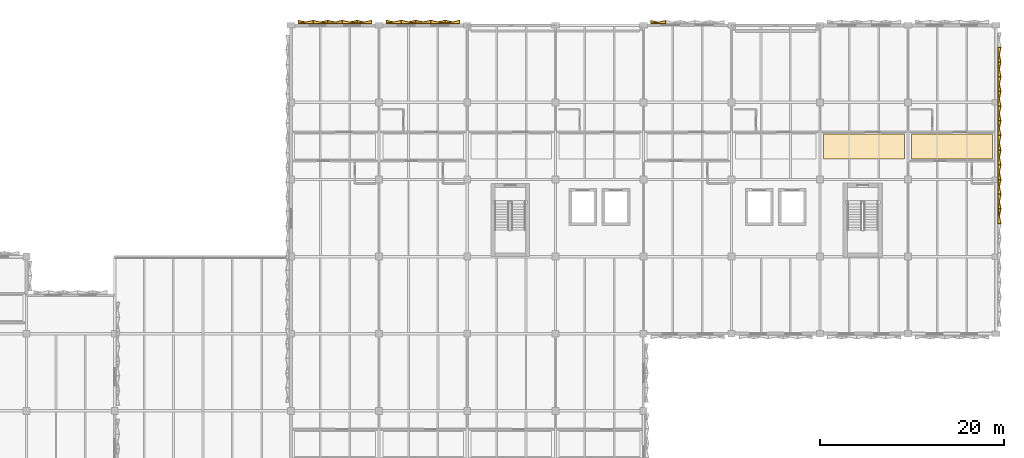
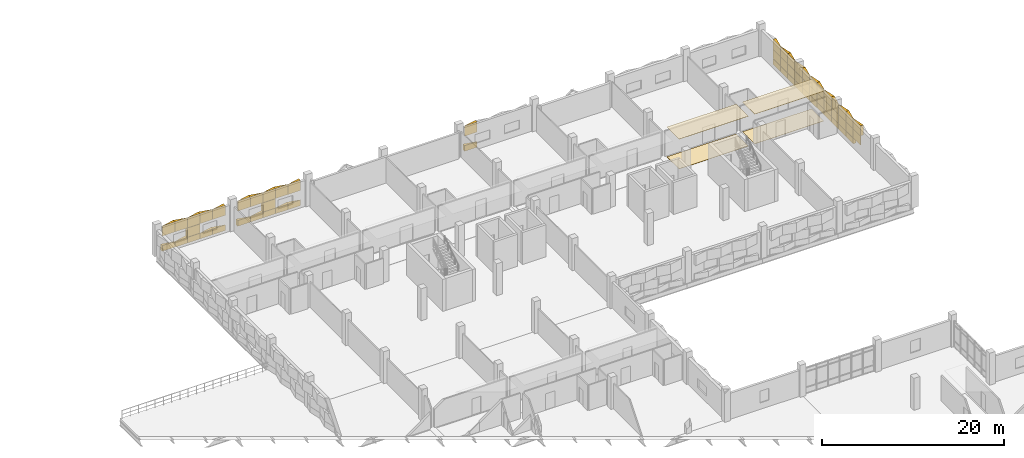
# One storey, part 85 of 86: 63 coverings.
"""IFC4 building model written with IfcOpenShell, lengths in metres."""

from ifc_helpers import new_model, si_unit, direction, frame, origin, place, context, subcontext, project, spatial, polyline, outline, extrude, material, layer, layer_set, type_object, element, save


model = new_model("IFC4")

# Units and contexts
model_context = context("Model", 3, precision=1e-05, world=origin(), true_north=direction((0.0, 1.0)))
body_context = subcontext(model_context, "Body", "Model", "MODEL_VIEW")
ifc_project = project(units=[si_unit("LENGTHUNIT", "METRE"), si_unit("AREAUNIT", "SQUARE_METRE"), si_unit("VOLUMEUNIT", "CUBIC_METRE"), si_unit("PLANEANGLEUNIT", "RADIAN"), si_unit("MASSUNIT", "GRAM", prefix="KILO")], contexts=[model_context])

# Site, building, storey
site_placement = place(None, origin())
site = spatial("IfcSite", under=ifc_project, at=site_placement, CompositionType="ELEMENT")
building_placement = place(site_placement, origin())
building = spatial("IfcBuilding", under=site, at=building_placement, Name="Oolite Switchyard Hospital", CompositionType="ELEMENT")
storey_placement = place(building_placement, frame((0.0, 0.0, 13.5)))
storey = spatial("IfcBuildingStorey", under=building, at=storey_placement, Name="L03", CompositionType="ELEMENT", Elevation=13.5)

# Coverings
ifc_material_1 = material(Name="Hygienic washable mineral-fibre acoustic ceiling")
ifc_layer_1 = layer(ifc_material_1, 0.0400390625)
ifc_layer_set_1 = layer_set([ifc_layer_1], Name="COV-CEIL-AC60")
covering_type_1 = type_object("IfcCoveringType", Name="COV-CEIL-AC60", PredefinedType="CEILING", material=ifc_layer_set_1)
covering_1_placement = place(storey_placement, frame((0.0, 0.0, 3.985107421875)))
element("IfcCovering", 1, at=covering_1_placement, inside=storey, type_object=covering_type_1, Name="L03 East General Surgical Ward Corridor Ceiling 7", PredefinedType="CEILING", context=body_context, shape_type="SweptSolid", body=[
    extrude(outline(polyline([(192.39990234375, 119.85009765625), (201.199951171875, 119.85009765625), (201.199951171875, 122.550048828125), (192.39990234375, 122.550048828125), (192.39990234375, 119.85009765625)])), origin(), (0.0, 0.0, 1.0), 0.039794921875),
])
covering_2_placement = place(storey_placement, frame((0.0, 0.0, 3.985107421875)))
element("IfcCovering", 2, at=covering_2_placement, inside=storey, type_object=covering_type_1, Name="L03 East General Surgical Ward Corridor Ceiling 8", PredefinedType="CEILING", context=body_context, shape_type="SweptSolid", body=[
    extrude(outline(polyline([(202.0, 119.85009765625), (210.800048828125, 119.85009765625), (210.800048828125, 122.550048828125), (202.0, 122.550048828125), (202.0, 119.85009765625)])), origin(), (0.0, 0.0, 1.0), 0.039794921875),
])
ifc_material_2 = material(Name="Precast oolitic limestone architectural concrete C40/50", Category="masonry")
covering_type_2 = type_object("IfcCoveringType", Name="COV-CHEV-COOL", PredefinedType="CLADDING", material=ifc_material_2)
covering_3_placement = place(storey_placement, frame((135.199951171875, 134.56005859375, 0.050048828125), z_axis=(0.0, 0.0, 1.0), x_axis=(1.0, 0.0, 0.0)))
element("IfcCovering", 3, at=covering_3_placement, inside=storey, type_object=covering_type_2, Name="L03 Chevron Precast Oolite Panel 287", PredefinedType="CLADDING", context=body_context, shape_type="SweptSolid", body=[
    extrude(outline(polyline([(0.0, 0.0), (1.60009765625, 0.0), (1.60009765625, 0.044921875), (0.0, 0.385009765625), (0.0, 0.0)])), origin(), (0.0, 0.0, 1.0), 0.760009765625),
])
covering_4_placement = place(storey_placement, frame((135.199951171875, 134.56005859375, 2.090087890625), z_axis=(0.0, 0.0, 1.0), x_axis=(1.0, 0.0, 0.0)))
element("IfcCovering", 4, at=covering_4_placement, inside=storey, type_object=covering_type_2, Name="L03 Chevron Precast Oolite Panel 288", PredefinedType="CLADDING", context=body_context, shape_type="SweptSolid", body=[
    extrude(outline(polyline([(0.0, 0.0), (1.60009765625, 0.0), (1.60009765625, 0.385009765625), (0.0, 0.044921875), (0.0, 0.0)])), origin(), (0.0, 0.0, 1.0), 1.349853515625),
])
covering_5_placement = place(storey_placement, frame((136.800048828125, 134.56005859375, 0.050048828125), z_axis=(0.0, 0.0, 1.0), x_axis=(1.0, 0.0, 0.0)))
element("IfcCovering", 5, at=covering_5_placement, inside=storey, type_object=covering_type_2, Name="L03 Chevron Precast Oolite Panel 289", PredefinedType="CLADDING", context=body_context, shape_type="SweptSolid", body=[
    extrude(outline(polyline([(0.0, 0.0), (1.599853515625, 0.0), (1.599853515625, 0.385009765625), (0.0, 0.044921875), (0.0, 0.0)])), origin(), (0.0, 0.0, 1.0), 0.760009765625),
])
covering_6_placement = place(storey_placement, frame((136.800048828125, 134.56005859375, 2.090087890625), z_axis=(0.0, 0.0, 1.0), x_axis=(1.0, 0.0, 0.0)))
element("IfcCovering", 6, at=covering_6_placement, inside=storey, type_object=covering_type_2, Name="L03 Chevron Precast Oolite Panel 290", PredefinedType="CLADDING", context=body_context, shape_type="SweptSolid", body=[
    extrude(outline(polyline([(0.0, 0.0), (1.599853515625, 0.0), (1.599853515625, 0.044921875), (0.0, 0.385009765625), (0.0, 0.0)])), origin(), (0.0, 0.0, 1.0), 1.349853515625),
])
covering_7_placement = place(storey_placement, frame((138.39990234375, 134.56005859375, 0.050048828125), z_axis=(0.0, 0.0, 1.0), x_axis=(1.0, 0.0, 0.0)))
element("IfcCovering", 7, at=covering_7_placement, inside=storey, type_object=covering_type_2, Name="L03 Chevron Precast Oolite Panel 291", PredefinedType="CLADDING", context=body_context, shape_type="SweptSolid", body=[
    extrude(outline(polyline([(0.0, 0.0), (1.60009765625, 0.0), (1.60009765625, 0.044921875), (0.0, 0.385009765625), (0.0, 0.0)])), origin(), (0.0, 0.0, 1.0), 0.760009765625),
])
covering_8_placement = place(storey_placement, frame((138.39990234375, 134.56005859375, 2.090087890625), z_axis=(0.0, 0.0, 1.0), x_axis=(1.0, 0.0, 0.0)))
element("IfcCovering", 8, at=covering_8_placement, inside=storey, type_object=covering_type_2, Name="L03 Chevron Precast Oolite Panel 292", PredefinedType="CLADDING", context=body_context, shape_type="SweptSolid", body=[
    extrude(outline(polyline([(0.0, 0.0), (1.60009765625, 0.0), (1.60009765625, 0.385009765625), (0.0, 0.044921875), (0.0, 0.0)])), origin(), (0.0, 0.0, 1.0), 1.349853515625),
])
covering_9_placement = place(storey_placement, frame((138.39990234375, 134.56005859375, 0.830078125), z_axis=(0.0, 0.0, 1.0), x_axis=(1.0, 0.0, 0.0)))
element("IfcCovering", 9, at=covering_9_placement, inside=storey, type_object=covering_type_2, Name="L03 Chevron Precast Oolite Panel 293", PredefinedType="CLADDING", context=body_context, shape_type="SweptSolid", body=[
    extrude(outline(polyline([(0.0, 0.0), (1.60009765625, 0.0), (1.60009765625, 0.044921875), (0.0, 0.385009765625), (0.0, 0.0)])), origin(), (0.0, 0.0, 1.0), 1.239990234375),
])
covering_10_placement = place(storey_placement, frame((140.0, 134.56005859375, 0.050048828125), z_axis=(0.0, 0.0, 1.0), x_axis=(1.0, 0.0, 0.0)))
element("IfcCovering", 10, at=covering_10_placement, inside=storey, type_object=covering_type_2, Name="L03 Chevron Precast Oolite Panel 294", PredefinedType="CLADDING", context=body_context, shape_type="SweptSolid", body=[
    extrude(outline(polyline([(0.0, 0.0), (1.60009765625, 0.0), (1.60009765625, 0.385009765625), (0.0, 0.044921875), (0.0, 0.0)])), origin(), (0.0, 0.0, 1.0), 0.760009765625),
])
covering_11_placement = place(storey_placement, frame((140.0, 134.56005859375, 2.090087890625), z_axis=(0.0, 0.0, 1.0), x_axis=(1.0, 0.0, 0.0)))
element("IfcCovering", 11, at=covering_11_placement, inside=storey, type_object=covering_type_2, Name="L03 Chevron Precast Oolite Panel 295", PredefinedType="CLADDING", context=body_context, shape_type="SweptSolid", body=[
    extrude(outline(polyline([(0.0, 0.0), (1.60009765625, 0.0), (1.60009765625, 0.044921875), (0.0, 0.385009765625), (0.0, 0.0)])), origin(), (0.0, 0.0, 1.0), 1.349853515625),
])
covering_12_placement = place(storey_placement, frame((141.60009765625, 134.56005859375, 0.050048828125), z_axis=(0.0, 0.0, 1.0), x_axis=(1.0, 0.0, 0.0)))
element("IfcCovering", 12, at=covering_12_placement, inside=storey, type_object=covering_type_2, Name="L03 Chevron Precast Oolite Panel 296", PredefinedType="CLADDING", context=body_context, shape_type="SweptSolid", body=[
    extrude(outline(polyline([(0.0, 0.0), (1.599853515625, 0.0), (1.599853515625, 0.044921875), (0.0, 0.385009765625), (0.0, 0.0)])), origin(), (0.0, 0.0, 1.0), 0.760009765625),
])
covering_13_placement = place(storey_placement, frame((141.60009765625, 134.56005859375, 2.090087890625), z_axis=(0.0, 0.0, 1.0), x_axis=(1.0, 0.0, 0.0)))
element("IfcCovering", 13, at=covering_13_placement, inside=storey, type_object=covering_type_2, Name="L03 Chevron Precast Oolite Panel 297", PredefinedType="CLADDING", context=body_context, shape_type="SweptSolid", body=[
    extrude(outline(polyline([(0.0, 0.0), (1.599853515625, 0.0), (1.599853515625, 0.385009765625), (0.0, 0.044921875), (0.0, 0.0)])), origin(), (0.0, 0.0, 1.0), 1.349853515625),
])
covering_14_placement = place(storey_placement, frame((144.800048828125, 134.570068359375, 0.050048828125), z_axis=(0.0, 0.0, 1.0), x_axis=(1.0, 0.0, 0.0)))
element("IfcCovering", 14, at=covering_14_placement, inside=storey, type_object=covering_type_2, Name="L03 Chevron Precast Oolite Panel 298", PredefinedType="CLADDING", context=body_context, shape_type="SweptSolid", body=[
    extrude(outline(polyline([(0.0, 0.0), (1.599853515625, 0.0), (1.599853515625, 0.044921875), (0.0, 0.385009765625), (0.0, 0.0)])), origin(), (0.0, 0.0, 1.0), 0.760009765625),
])
covering_15_placement = place(storey_placement, frame((144.800048828125, 134.570068359375, 2.090087890625), z_axis=(0.0, 0.0, 1.0), x_axis=(1.0, 0.0, 0.0)))
element("IfcCovering", 15, at=covering_15_placement, inside=storey, type_object=covering_type_2, Name="L03 Chevron Precast Oolite Panel 299", PredefinedType="CLADDING", context=body_context, shape_type="SweptSolid", body=[
    extrude(outline(polyline([(0.0, 0.0), (1.599853515625, 0.0), (1.599853515625, 0.385009765625), (0.0, 0.044921875), (0.0, 0.0)])), origin(), (0.0, 0.0, 1.0), 1.349853515625),
])
covering_16_placement = place(storey_placement, frame((146.39990234375, 134.570068359375, 0.050048828125), z_axis=(0.0, 0.0, 1.0), x_axis=(1.0, 0.0, 0.0)))
element("IfcCovering", 16, at=covering_16_placement, inside=storey, type_object=covering_type_2, Name="L03 Chevron Precast Oolite Panel 300", PredefinedType="CLADDING", context=body_context, shape_type="SweptSolid", body=[
    extrude(outline(polyline([(0.0, 0.0), (1.60009765625, 0.0), (1.60009765625, 0.385009765625), (0.0, 0.044921875), (0.0, 0.0)])), origin(), (0.0, 0.0, 1.0), 0.760009765625),
])
covering_17_placement = place(storey_placement, frame((146.39990234375, 134.570068359375, 2.090087890625), z_axis=(0.0, 0.0, 1.0), x_axis=(1.0, 0.0, 0.0)))
element("IfcCovering", 17, at=covering_17_placement, inside=storey, type_object=covering_type_2, Name="L03 Chevron Precast Oolite Panel 301", PredefinedType="CLADDING", context=body_context, shape_type="SweptSolid", body=[
    extrude(outline(polyline([(0.0, 0.0), (1.60009765625, 0.0), (1.60009765625, 0.044921875), (0.0, 0.385009765625), (0.0, 0.0)])), origin(), (0.0, 0.0, 1.0), 1.349853515625),
])
covering_18_placement = place(storey_placement, frame((148.0, 134.570068359375, 0.050048828125), z_axis=(0.0, 0.0, 1.0), x_axis=(1.0, 0.0, 0.0)))
element("IfcCovering", 18, at=covering_18_placement, inside=storey, type_object=covering_type_2, Name="L03 Chevron Precast Oolite Panel 302", PredefinedType="CLADDING", context=body_context, shape_type="SweptSolid", body=[
    extrude(outline(polyline([(0.0, 0.0), (1.60009765625, 0.0), (1.60009765625, 0.044921875), (0.0, 0.385009765625), (0.0, 0.0)])), origin(), (0.0, 0.0, 1.0), 0.760009765625),
])
covering_19_placement = place(storey_placement, frame((148.0, 134.570068359375, 2.090087890625), z_axis=(0.0, 0.0, 1.0), x_axis=(1.0, 0.0, 0.0)))
element("IfcCovering", 19, at=covering_19_placement, inside=storey, type_object=covering_type_2, Name="L03 Chevron Precast Oolite Panel 303", PredefinedType="CLADDING", context=body_context, shape_type="SweptSolid", body=[
    extrude(outline(polyline([(0.0, 0.0), (1.60009765625, 0.0), (1.60009765625, 0.385009765625), (0.0, 0.044921875), (0.0, 0.0)])), origin(), (0.0, 0.0, 1.0), 1.349853515625),
])
covering_20_placement = place(storey_placement, frame((148.0, 134.570068359375, 0.830078125), z_axis=(0.0, 0.0, 1.0), x_axis=(1.0, 0.0, 0.0)))
element("IfcCovering", 20, at=covering_20_placement, inside=storey, type_object=covering_type_2, Name="L03 Chevron Precast Oolite Panel 304", PredefinedType="CLADDING", context=body_context, shape_type="SweptSolid", body=[
    extrude(outline(polyline([(0.0, 0.0), (1.60009765625, 0.0), (1.60009765625, 0.044921875), (0.0, 0.385009765625), (0.0, 0.0)])), origin(), (0.0, 0.0, 1.0), 1.239990234375),
])
covering_21_placement = place(storey_placement, frame((149.60009765625, 134.570068359375, 0.050048828125), z_axis=(0.0, 0.0, 1.0), x_axis=(1.0, 0.0, 0.0)))
element("IfcCovering", 21, at=covering_21_placement, inside=storey, type_object=covering_type_2, Name="L03 Chevron Precast Oolite Panel 305", PredefinedType="CLADDING", context=body_context, shape_type="SweptSolid", body=[
    extrude(outline(polyline([(0.0, 0.0), (1.599853515625, 0.0), (1.599853515625, 0.385009765625), (0.0, 0.044921875), (0.0, 0.0)])), origin(), (0.0, 0.0, 1.0), 0.760009765625),
])
covering_22_placement = place(storey_placement, frame((149.60009765625, 134.570068359375, 2.090087890625), z_axis=(0.0, 0.0, 1.0), x_axis=(1.0, 0.0, 0.0)))
element("IfcCovering", 22, at=covering_22_placement, inside=storey, type_object=covering_type_2, Name="L03 Chevron Precast Oolite Panel 306", PredefinedType="CLADDING", context=body_context, shape_type="SweptSolid", body=[
    extrude(outline(polyline([(0.0, 0.0), (1.599853515625, 0.0), (1.599853515625, 0.044921875), (0.0, 0.385009765625), (0.0, 0.0)])), origin(), (0.0, 0.0, 1.0), 1.349853515625),
])
covering_23_placement = place(storey_placement, frame((151.199951171875, 134.570068359375, 0.050048828125), z_axis=(0.0, 0.0, 1.0), x_axis=(1.0, 0.0, 0.0)))
element("IfcCovering", 23, at=covering_23_placement, inside=storey, type_object=covering_type_2, Name="L03 Chevron Precast Oolite Panel 307", PredefinedType="CLADDING", context=body_context, shape_type="SweptSolid", body=[
    extrude(outline(polyline([(0.0, 0.0), (1.60009765625, 0.0), (1.60009765625, 0.044921875), (0.0, 0.385009765625), (0.0, 0.0)])), origin(), (0.0, 0.0, 1.0), 0.760009765625),
])
covering_24_placement = place(storey_placement, frame((151.199951171875, 134.570068359375, 2.090087890625), z_axis=(0.0, 0.0, 1.0), x_axis=(1.0, 0.0, 0.0)))
element("IfcCovering", 24, at=covering_24_placement, inside=storey, type_object=covering_type_2, Name="L03 Chevron Precast Oolite Panel 308", PredefinedType="CLADDING", context=body_context, shape_type="SweptSolid", body=[
    extrude(outline(polyline([(0.0, 0.0), (1.60009765625, 0.0), (1.60009765625, 0.385009765625), (0.0, 0.044921875), (0.0, 0.0)])), origin(), (0.0, 0.0, 1.0), 1.349853515625),
])
covering_25_placement = place(storey_placement, frame((173.60009765625, 134.5400390625, 0.050048828125), z_axis=(0.0, 0.0, 1.0), x_axis=(1.0, 0.0, 0.0)))
element("IfcCovering", 25, at=covering_25_placement, inside=storey, type_object=covering_type_2, Name="L03 Chevron Precast Oolite Panel 309", PredefinedType="CLADDING", context=body_context, shape_type="SweptSolid", body=[
    extrude(outline(polyline([(0.0, 0.0), (1.599853515625, 0.0), (1.599853515625, 0.044921875), (0.0, 0.385009765625), (0.0, 0.0)])), origin(), (0.0, 0.0, 1.0), 0.760009765625),
])
covering_26_placement = place(storey_placement, frame((173.60009765625, 134.5400390625, 2.090087890625), z_axis=(0.0, 0.0, 1.0), x_axis=(1.0, 0.0, 0.0)))
element("IfcCovering", 26, at=covering_26_placement, inside=storey, type_object=covering_type_2, Name="L03 Chevron Precast Oolite Panel 310", PredefinedType="CLADDING", context=body_context, shape_type="SweptSolid", body=[
    extrude(outline(polyline([(0.0, 0.0), (1.599853515625, 0.0), (1.599853515625, 0.385009765625), (0.0, 0.044921875), (0.0, 0.0)])), origin(), (0.0, 0.0, 1.0), 1.349853515625),
])
covering_27_placement = place(storey_placement, frame((211.3701171875, 132.0, 0.050048828125), z_axis=(0.0, 0.0, 1.0), x_axis=(0.0, -1.0, 0.0)))
element("IfcCovering", 27, at=covering_27_placement, inside=storey, type_object=covering_type_2, Name="L03 Chevron Precast Oolite Panel 575", PredefinedType="CLADDING", context=body_context, shape_type="SweptSolid", body=[
    extrude(outline(polyline([(0.0, 0.0), (1.60009765625, 0.0), (1.60009765625, 0.385009765625), (0.0, 0.044921875), (0.0, 0.0)])), origin(), (0.0, 0.0, 1.0), 0.760009765625),
])
covering_28_placement = place(storey_placement, frame((211.3701171875, 132.0, 2.090087890625), z_axis=(0.0, 0.0, 1.0), x_axis=(0.0, -1.0, 0.0)))
element("IfcCovering", 28, at=covering_28_placement, inside=storey, type_object=covering_type_2, Name="L03 Chevron Precast Oolite Panel 576", PredefinedType="CLADDING", context=body_context, shape_type="SweptSolid", body=[
    extrude(outline(polyline([(0.0, 0.0), (1.60009765625, 0.0), (1.60009765625, 0.044921875), (0.0, 0.385009765625), (0.0, 0.0)])), origin(), (0.0, 0.0, 1.0), 1.349853515625),
])
covering_29_placement = place(storey_placement, frame((211.3701171875, 132.0, 0.830078125), z_axis=(0.0, 0.0, 1.0), x_axis=(0.0, -1.0, 0.0)))
element("IfcCovering", 29, at=covering_29_placement, inside=storey, type_object=covering_type_2, Name="L03 Chevron Precast Oolite Panel 577", PredefinedType="CLADDING", context=body_context, shape_type="SweptSolid", body=[
    extrude(outline(polyline([(0.0, 0.0), (1.60009765625, 0.0), (1.60009765625, 0.385009765625), (0.0, 0.044921875), (0.0, 0.0)])), origin(), (0.0, 0.0, 1.0), 1.239990234375),
])
covering_30_placement = place(storey_placement, frame((211.3701171875, 130.39990234375, 0.050048828125), z_axis=(0.0, 0.0, 1.0), x_axis=(0.0, -1.0, 0.0)))
element("IfcCovering", 30, at=covering_30_placement, inside=storey, type_object=covering_type_2, Name="L03 Chevron Precast Oolite Panel 578", PredefinedType="CLADDING", context=body_context, shape_type="SweptSolid", body=[
    extrude(outline(polyline([(0.0, 0.0), (1.599853515625, 0.0), (1.599853515625, 0.044921875), (0.0, 0.385009765625), (0.0, 0.0)])), origin(), (0.0, 0.0, 1.0), 0.760009765625),
])
covering_31_placement = place(storey_placement, frame((211.3701171875, 130.39990234375, 2.090087890625), z_axis=(0.0, 0.0, 1.0), x_axis=(0.0, -1.0, 0.0)))
element("IfcCovering", 31, at=covering_31_placement, inside=storey, type_object=covering_type_2, Name="L03 Chevron Precast Oolite Panel 579", PredefinedType="CLADDING", context=body_context, shape_type="SweptSolid", body=[
    extrude(outline(polyline([(0.0, 0.0), (1.599853515625, 0.0), (1.599853515625, 0.385009765625), (0.0, 0.044921875), (0.0, 0.0)])), origin(), (0.0, 0.0, 1.0), 1.349853515625),
])
covering_32_placement = place(storey_placement, frame((211.3701171875, 130.39990234375, 0.830078125), z_axis=(0.0, 0.0, 1.0), x_axis=(0.0, -1.0, 0.0)))
element("IfcCovering", 32, at=covering_32_placement, inside=storey, type_object=covering_type_2, Name="L03 Chevron Precast Oolite Panel 580", PredefinedType="CLADDING", context=body_context, shape_type="SweptSolid", body=[
    extrude(outline(polyline([(0.0, 0.0), (1.599853515625, 0.0), (1.599853515625, 0.044921875), (0.0, 0.385009765625), (0.0, 0.0)])), origin(), (0.0, 0.0, 1.0), 1.239990234375),
])
covering_33_placement = place(storey_placement, frame((211.3701171875, 128.800048828125, 0.050048828125), z_axis=(0.0, 0.0, 1.0), x_axis=(0.0, -1.0, 0.0)))
element("IfcCovering", 33, at=covering_33_placement, inside=storey, type_object=covering_type_2, Name="L03 Chevron Precast Oolite Panel 581", PredefinedType="CLADDING", context=body_context, shape_type="SweptSolid", body=[
    extrude(outline(polyline([(0.0, 0.0), (1.60009765625, 0.0), (1.60009765625, 0.385009765625), (0.0, 0.044921875), (0.0, 0.0)])), origin(), (0.0, 0.0, 1.0), 0.760009765625),
])
covering_34_placement = place(storey_placement, frame((211.3701171875, 128.800048828125, 2.090087890625), z_axis=(0.0, 0.0, 1.0), x_axis=(0.0, -1.0, 0.0)))
element("IfcCovering", 34, at=covering_34_placement, inside=storey, type_object=covering_type_2, Name="L03 Chevron Precast Oolite Panel 582", PredefinedType="CLADDING", context=body_context, shape_type="SweptSolid", body=[
    extrude(outline(polyline([(0.0, 0.0), (1.60009765625, 0.0), (1.60009765625, 0.044921875), (0.0, 0.385009765625), (0.0, 0.0)])), origin(), (0.0, 0.0, 1.0), 1.349853515625),
])
covering_35_placement = place(storey_placement, frame((211.3701171875, 128.800048828125, 0.830078125), z_axis=(0.0, 0.0, 1.0), x_axis=(0.0, -1.0, 0.0)))
element("IfcCovering", 35, at=covering_35_placement, inside=storey, type_object=covering_type_2, Name="L03 Chevron Precast Oolite Panel 583", PredefinedType="CLADDING", context=body_context, shape_type="SweptSolid", body=[
    extrude(outline(polyline([(0.0, 0.0), (1.60009765625, 0.0), (1.60009765625, 0.385009765625), (0.0, 0.044921875), (0.0, 0.0)])), origin(), (0.0, 0.0, 1.0), 1.239990234375),
])
covering_36_placement = place(storey_placement, frame((211.3701171875, 127.199951171875, 0.050048828125), z_axis=(0.0, 0.0, 1.0), x_axis=(0.0, -1.0, 0.0)))
element("IfcCovering", 36, at=covering_36_placement, inside=storey, type_object=covering_type_2, Name="L03 Chevron Precast Oolite Panel 584", PredefinedType="CLADDING", context=body_context, shape_type="SweptSolid", body=[
    extrude(outline(polyline([(0.0, 0.0), (1.599853515625, 0.0), (1.599853515625, 0.044921875), (0.0, 0.385009765625), (0.0, 0.0)])), origin(), (0.0, 0.0, 1.0), 0.760009765625),
])
covering_37_placement = place(storey_placement, frame((211.3701171875, 127.199951171875, 2.090087890625), z_axis=(0.0, 0.0, 1.0), x_axis=(0.0, -1.0, 0.0)))
element("IfcCovering", 37, at=covering_37_placement, inside=storey, type_object=covering_type_2, Name="L03 Chevron Precast Oolite Panel 585", PredefinedType="CLADDING", context=body_context, shape_type="SweptSolid", body=[
    extrude(outline(polyline([(0.0, 0.0), (1.599853515625, 0.0), (1.599853515625, 0.385009765625), (0.0, 0.044921875), (0.0, 0.0)])), origin(), (0.0, 0.0, 1.0), 1.349853515625),
])
covering_38_placement = place(storey_placement, frame((211.3701171875, 127.199951171875, 0.830078125), z_axis=(0.0, 0.0, 1.0), x_axis=(0.0, -1.0, 0.0)))
element("IfcCovering", 38, at=covering_38_placement, inside=storey, type_object=covering_type_2, Name="L03 Chevron Precast Oolite Panel 586", PredefinedType="CLADDING", context=body_context, shape_type="SweptSolid", body=[
    extrude(outline(polyline([(0.0, 0.0), (1.599853515625, 0.0), (1.599853515625, 0.044921875), (0.0, 0.385009765625), (0.0, 0.0)])), origin(), (0.0, 0.0, 1.0), 1.239990234375),
])
covering_39_placement = place(storey_placement, frame((211.3701171875, 125.60009765625, 0.050048828125), z_axis=(0.0, 0.0, 1.0), x_axis=(0.0, -1.0, 0.0)))
element("IfcCovering", 39, at=covering_39_placement, inside=storey, type_object=covering_type_2, Name="L03 Chevron Precast Oolite Panel 587", PredefinedType="CLADDING", context=body_context, shape_type="SweptSolid", body=[
    extrude(outline(polyline([(0.0, 0.0), (1.60009765625, 0.0), (1.60009765625, 0.385009765625), (0.0, 0.044921875), (0.0, 0.0)])), origin(), (0.0, 0.0, 1.0), 0.760009765625),
])
covering_40_placement = place(storey_placement, frame((211.3701171875, 125.60009765625, 2.090087890625), z_axis=(0.0, 0.0, 1.0), x_axis=(0.0, -1.0, 0.0)))
element("IfcCovering", 40, at=covering_40_placement, inside=storey, type_object=covering_type_2, Name="L03 Chevron Precast Oolite Panel 588", PredefinedType="CLADDING", context=body_context, shape_type="SweptSolid", body=[
    extrude(outline(polyline([(0.0, 0.0), (1.60009765625, 0.0), (1.60009765625, 0.044921875), (0.0, 0.385009765625), (0.0, 0.0)])), origin(), (0.0, 0.0, 1.0), 1.349853515625),
])
covering_41_placement = place(storey_placement, frame((211.3701171875, 125.60009765625, 0.830078125), z_axis=(0.0, 0.0, 1.0), x_axis=(0.0, -1.0, 0.0)))
element("IfcCovering", 41, at=covering_41_placement, inside=storey, type_object=covering_type_2, Name="L03 Chevron Precast Oolite Panel 589", PredefinedType="CLADDING", context=body_context, shape_type="SweptSolid", body=[
    extrude(outline(polyline([(0.0, 0.0), (1.60009765625, 0.0), (1.60009765625, 0.385009765625), (0.0, 0.044921875), (0.0, 0.0)])), origin(), (0.0, 0.0, 1.0), 1.239990234375),
])
covering_42_placement = place(storey_placement, frame((211.3701171875, 124.0, 0.050048828125), z_axis=(0.0, 0.0, 1.0), x_axis=(0.0, -1.0, 0.0)))
element("IfcCovering", 42, at=covering_42_placement, inside=storey, type_object=covering_type_2, Name="L03 Chevron Precast Oolite Panel 590", PredefinedType="CLADDING", context=body_context, shape_type="SweptSolid", body=[
    extrude(outline(polyline([(0.0, 0.0), (1.60009765625, 0.0), (1.60009765625, 0.044921875), (0.0, 0.385009765625), (0.0, 0.0)])), origin(), (0.0, 0.0, 1.0), 0.760009765625),
])
covering_43_placement = place(storey_placement, frame((211.3701171875, 124.0, 2.090087890625), z_axis=(0.0, 0.0, 1.0), x_axis=(0.0, -1.0, 0.0)))
element("IfcCovering", 43, at=covering_43_placement, inside=storey, type_object=covering_type_2, Name="L03 Chevron Precast Oolite Panel 591", PredefinedType="CLADDING", context=body_context, shape_type="SweptSolid", body=[
    extrude(outline(polyline([(0.0, 0.0), (1.60009765625, 0.0), (1.60009765625, 0.385009765625), (0.0, 0.044921875), (0.0, 0.0)])), origin(), (0.0, 0.0, 1.0), 1.349853515625),
])
covering_44_placement = place(storey_placement, frame((211.3701171875, 124.0, 0.830078125), z_axis=(0.0, 0.0, 1.0), x_axis=(0.0, -1.0, 0.0)))
element("IfcCovering", 44, at=covering_44_placement, inside=storey, type_object=covering_type_2, Name="L03 Chevron Precast Oolite Panel 592", PredefinedType="CLADDING", context=body_context, shape_type="SweptSolid", body=[
    extrude(outline(polyline([(0.0, 0.0), (1.60009765625, 0.0), (1.60009765625, 0.044921875), (0.0, 0.385009765625), (0.0, 0.0)])), origin(), (0.0, 0.0, 1.0), 1.239990234375),
])
covering_45_placement = place(storey_placement, frame((211.3701171875, 122.39990234375, 0.050048828125), z_axis=(0.0, 0.0, 1.0), x_axis=(0.0, -1.0, 0.0)))
element("IfcCovering", 45, at=covering_45_placement, inside=storey, type_object=covering_type_2, Name="L03 Chevron Precast Oolite Panel 593", PredefinedType="CLADDING", context=body_context, shape_type="SweptSolid", body=[
    extrude(outline(polyline([(0.0, 0.0), (1.599853515625, 0.0), (1.599853515625, 0.385009765625), (0.0, 0.044921875), (0.0, 0.0)])), origin(), (0.0, 0.0, 1.0), 0.760009765625),
])
covering_46_placement = place(storey_placement, frame((211.3701171875, 122.39990234375, 2.090087890625), z_axis=(0.0, 0.0, 1.0), x_axis=(0.0, -1.0, 0.0)))
element("IfcCovering", 46, at=covering_46_placement, inside=storey, type_object=covering_type_2, Name="L03 Chevron Precast Oolite Panel 594", PredefinedType="CLADDING", context=body_context, shape_type="SweptSolid", body=[
    extrude(outline(polyline([(0.0, 0.0), (1.599853515625, 0.0), (1.599853515625, 0.044921875), (0.0, 0.385009765625), (0.0, 0.0)])), origin(), (0.0, 0.0, 1.0), 1.349853515625),
])
covering_47_placement = place(storey_placement, frame((211.3701171875, 122.39990234375, 0.830078125), z_axis=(0.0, 0.0, 1.0), x_axis=(0.0, -1.0, 0.0)))
element("IfcCovering", 47, at=covering_47_placement, inside=storey, type_object=covering_type_2, Name="L03 Chevron Precast Oolite Panel 595", PredefinedType="CLADDING", context=body_context, shape_type="SweptSolid", body=[
    extrude(outline(polyline([(0.0, 0.0), (1.599853515625, 0.0), (1.599853515625, 0.385009765625), (0.0, 0.044921875), (0.0, 0.0)])), origin(), (0.0, 0.0, 1.0), 1.239990234375),
])
covering_48_placement = place(storey_placement, frame((211.3701171875, 120.800048828125, 0.050048828125), z_axis=(0.0, 0.0, 1.0), x_axis=(0.0, -1.0, 0.0)))
element("IfcCovering", 48, at=covering_48_placement, inside=storey, type_object=covering_type_2, Name="L03 Chevron Precast Oolite Panel 596", PredefinedType="CLADDING", context=body_context, shape_type="SweptSolid", body=[
    extrude(outline(polyline([(0.0, 0.0), (1.60009765625, 0.0), (1.60009765625, 0.044921875), (0.0, 0.385009765625), (0.0, 0.0)])), origin(), (0.0, 0.0, 1.0), 0.760009765625),
])
covering_49_placement = place(storey_placement, frame((211.3701171875, 120.800048828125, 2.090087890625), z_axis=(0.0, 0.0, 1.0), x_axis=(0.0, -1.0, 0.0)))
element("IfcCovering", 49, at=covering_49_placement, inside=storey, type_object=covering_type_2, Name="L03 Chevron Precast Oolite Panel 597", PredefinedType="CLADDING", context=body_context, shape_type="SweptSolid", body=[
    extrude(outline(polyline([(0.0, 0.0), (1.60009765625, 0.0), (1.60009765625, 0.385009765625), (0.0, 0.044921875), (0.0, 0.0)])), origin(), (0.0, 0.0, 1.0), 1.349853515625),
])
covering_50_placement = place(storey_placement, frame((211.3701171875, 120.800048828125, 0.830078125), z_axis=(0.0, 0.0, 1.0), x_axis=(0.0, -1.0, 0.0)))
element("IfcCovering", 50, at=covering_50_placement, inside=storey, type_object=covering_type_2, Name="L03 Chevron Precast Oolite Panel 598", PredefinedType="CLADDING", context=body_context, shape_type="SweptSolid", body=[
    extrude(outline(polyline([(0.0, 0.0), (1.60009765625, 0.0), (1.60009765625, 0.044921875), (0.0, 0.385009765625), (0.0, 0.0)])), origin(), (0.0, 0.0, 1.0), 1.239990234375),
])
covering_51_placement = place(storey_placement, frame((211.3701171875, 119.199951171875, 0.050048828125), z_axis=(0.0, 0.0, 1.0), x_axis=(0.0, -1.0, 0.0)))
element("IfcCovering", 51, at=covering_51_placement, inside=storey, type_object=covering_type_2, Name="L03 Chevron Precast Oolite Panel 599", PredefinedType="CLADDING", context=body_context, shape_type="SweptSolid", body=[
    extrude(outline(polyline([(0.0, 0.0), (1.599853515625, 0.0), (1.599853515625, 0.385009765625), (0.0, 0.044921875), (0.0, 0.0)])), origin(), (0.0, 0.0, 1.0), 0.760009765625),
])
covering_52_placement = place(storey_placement, frame((211.3701171875, 119.199951171875, 2.090087890625), z_axis=(0.0, 0.0, 1.0), x_axis=(0.0, -1.0, 0.0)))
element("IfcCovering", 52, at=covering_52_placement, inside=storey, type_object=covering_type_2, Name="L03 Chevron Precast Oolite Panel 600", PredefinedType="CLADDING", context=body_context, shape_type="SweptSolid", body=[
    extrude(outline(polyline([(0.0, 0.0), (1.599853515625, 0.0), (1.599853515625, 0.044921875), (0.0, 0.385009765625), (0.0, 0.0)])), origin(), (0.0, 0.0, 1.0), 1.349853515625),
])
covering_53_placement = place(storey_placement, frame((211.3701171875, 119.199951171875, 0.830078125), z_axis=(0.0, 0.0, 1.0), x_axis=(0.0, -1.0, 0.0)))
element("IfcCovering", 53, at=covering_53_placement, inside=storey, type_object=covering_type_2, Name="L03 Chevron Precast Oolite Panel 601", PredefinedType="CLADDING", context=body_context, shape_type="SweptSolid", body=[
    extrude(outline(polyline([(0.0, 0.0), (1.599853515625, 0.0), (1.599853515625, 0.385009765625), (0.0, 0.044921875), (0.0, 0.0)])), origin(), (0.0, 0.0, 1.0), 1.239990234375),
])
covering_54_placement = place(storey_placement, frame((211.3701171875, 117.60009765625, 0.050048828125), z_axis=(0.0, 0.0, 1.0), x_axis=(0.0, -1.0, 0.0)))
element("IfcCovering", 54, at=covering_54_placement, inside=storey, type_object=covering_type_2, Name="L03 Chevron Precast Oolite Panel 602", PredefinedType="CLADDING", context=body_context, shape_type="SweptSolid", body=[
    extrude(outline(polyline([(0.0, 0.0), (1.60009765625, 0.0), (1.60009765625, 0.044921875), (0.0, 0.385009765625), (0.0, 0.0)])), origin(), (0.0, 0.0, 1.0), 0.760009765625),
])
covering_55_placement = place(storey_placement, frame((211.3701171875, 117.60009765625, 2.090087890625), z_axis=(0.0, 0.0, 1.0), x_axis=(0.0, -1.0, 0.0)))
element("IfcCovering", 55, at=covering_55_placement, inside=storey, type_object=covering_type_2, Name="L03 Chevron Precast Oolite Panel 603", PredefinedType="CLADDING", context=body_context, shape_type="SweptSolid", body=[
    extrude(outline(polyline([(0.0, 0.0), (1.60009765625, 0.0), (1.60009765625, 0.385009765625), (0.0, 0.044921875), (0.0, 0.0)])), origin(), (0.0, 0.0, 1.0), 1.349853515625),
])
covering_56_placement = place(storey_placement, frame((211.3701171875, 117.60009765625, 0.830078125), z_axis=(0.0, 0.0, 1.0), x_axis=(0.0, -1.0, 0.0)))
element("IfcCovering", 56, at=covering_56_placement, inside=storey, type_object=covering_type_2, Name="L03 Chevron Precast Oolite Panel 604", PredefinedType="CLADDING", context=body_context, shape_type="SweptSolid", body=[
    extrude(outline(polyline([(0.0, 0.0), (1.60009765625, 0.0), (1.60009765625, 0.044921875), (0.0, 0.385009765625), (0.0, 0.0)])), origin(), (0.0, 0.0, 1.0), 1.239990234375),
])
covering_57_placement = place(storey_placement, frame((211.3701171875, 116.0, 0.050048828125), z_axis=(0.0, 0.0, 1.0), x_axis=(0.0, -1.0, 0.0)))
element("IfcCovering", 57, at=covering_57_placement, inside=storey, type_object=covering_type_2, Name="L03 Chevron Precast Oolite Panel 605", PredefinedType="CLADDING", context=body_context, shape_type="SweptSolid", body=[
    extrude(outline(polyline([(0.0, 0.0), (1.60009765625, 0.0), (1.60009765625, 0.385009765625), (0.0, 0.044921875), (0.0, 0.0)])), origin(), (0.0, 0.0, 1.0), 0.760009765625),
])
covering_58_placement = place(storey_placement, frame((211.3701171875, 116.0, 2.090087890625), z_axis=(0.0, 0.0, 1.0), x_axis=(0.0, -1.0, 0.0)))
element("IfcCovering", 58, at=covering_58_placement, inside=storey, type_object=covering_type_2, Name="L03 Chevron Precast Oolite Panel 606", PredefinedType="CLADDING", context=body_context, shape_type="SweptSolid", body=[
    extrude(outline(polyline([(0.0, 0.0), (1.60009765625, 0.0), (1.60009765625, 0.044921875), (0.0, 0.385009765625), (0.0, 0.0)])), origin(), (0.0, 0.0, 1.0), 1.349853515625),
])
covering_59_placement = place(storey_placement, frame((211.3701171875, 116.0, 0.830078125), z_axis=(0.0, 0.0, 1.0), x_axis=(0.0, -1.0, 0.0)))
element("IfcCovering", 59, at=covering_59_placement, inside=storey, type_object=covering_type_2, Name="L03 Chevron Precast Oolite Panel 607", PredefinedType="CLADDING", context=body_context, shape_type="SweptSolid", body=[
    extrude(outline(polyline([(0.0, 0.0), (1.60009765625, 0.0), (1.60009765625, 0.385009765625), (0.0, 0.044921875), (0.0, 0.0)])), origin(), (0.0, 0.0, 1.0), 1.239990234375),
])
covering_60_placement = place(storey_placement, frame((211.3701171875, 114.39990234375, 2.090087890625), z_axis=(0.0, 0.0, 1.0), x_axis=(0.0, -1.0, 0.0)))
element("IfcCovering", 60, at=covering_60_placement, inside=storey, type_object=covering_type_2, Name="L03 Chevron Precast Oolite Panel 609", PredefinedType="CLADDING", context=body_context, shape_type="SweptSolid", body=[
    extrude(outline(polyline([(0.0, 0.0), (1.599853515625, 0.0), (1.599853515625, 0.385009765625), (0.0, 0.044921875), (0.0, 0.0)])), origin(), (0.0, 0.0, 1.0), 1.349853515625),
])
covering_61_placement = place(storey_placement, frame((211.3701171875, 114.39990234375, 0.830078125), z_axis=(0.0, 0.0, 1.0), x_axis=(0.0, -1.0, 0.0)))
element("IfcCovering", 61, at=covering_61_placement, inside=storey, type_object=covering_type_2, Name="L03 Chevron Precast Oolite Panel 610", PredefinedType="CLADDING", context=body_context, shape_type="SweptSolid", body=[
    extrude(outline(polyline([(0.0, 0.0), (1.599853515625, 0.0), (1.599853515625, 0.044921875), (0.0, 0.385009765625), (0.0, 0.0)])), origin(), (0.0, 0.0, 1.0), 1.239990234375),
])
ifc_material_3 = material(Name="Epoxy terrazzo seamless clinical flooring")
ifc_layer_2 = layer(ifc_material_3, 0.02001953125)
ifc_layer_set_2 = layer_set([ifc_layer_2], Name="COV-FLR-TER20")
covering_type_3 = type_object("IfcCoveringType", Name="COV-FLR-TER20", PredefinedType="FLOORING", material=ifc_layer_set_2)
covering_62_placement = place(storey_placement, origin())
element("IfcCovering", 62, at=covering_62_placement, inside=storey, type_object=covering_type_3, Name="L03 East General Surgical Ward Corridor Flooring 7", PredefinedType="FLOORING", context=body_context, shape_type="SweptSolid", body=[
    extrude(outline(polyline([(192.39990234375, 119.85009765625), (201.199951171875, 119.85009765625), (201.199951171875, 122.550048828125), (192.39990234375, 122.550048828125), (192.39990234375, 119.85009765625)])), origin(), (0.0, 0.0, 1.0), 0.02001953125),
])
covering_63_placement = place(storey_placement, origin())
element("IfcCovering", 63, at=covering_63_placement, inside=storey, type_object=covering_type_3, Name="L03 East General Surgical Ward Corridor Flooring 8", PredefinedType="FLOORING", context=body_context, shape_type="SweptSolid", body=[
    extrude(outline(polyline([(202.0, 119.85009765625), (210.800048828125, 119.85009765625), (210.800048828125, 122.550048828125), (202.0, 122.550048828125), (202.0, 119.85009765625)])), origin(), (0.0, 0.0, 1.0), 0.02001953125),
])

save(model, "model.ifc")
